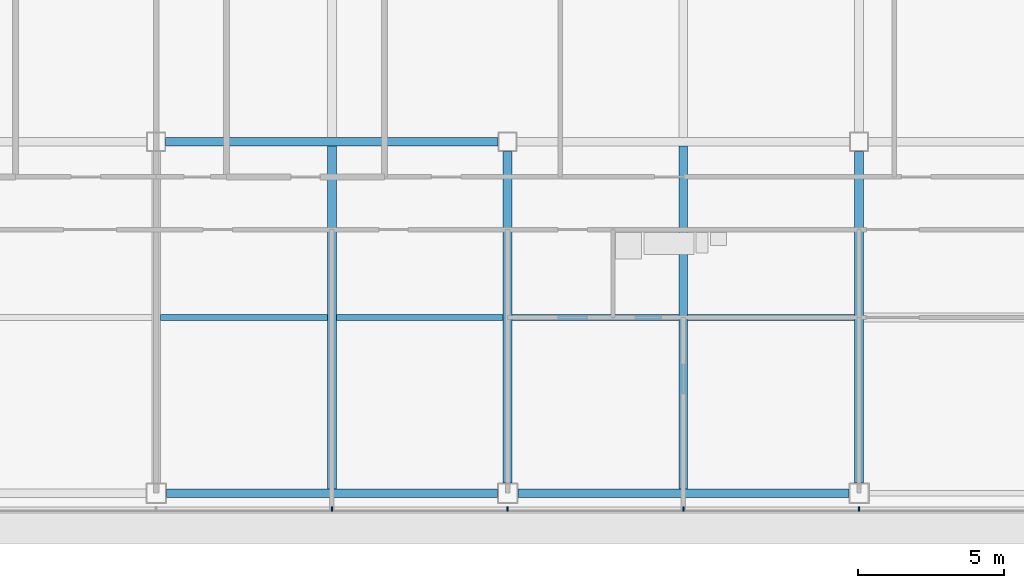
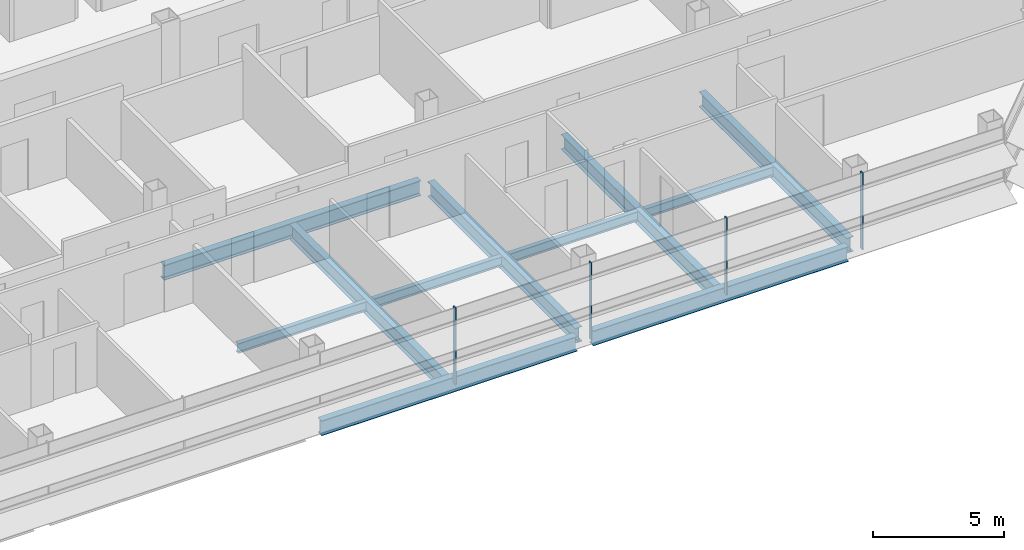
# One storey, part 8 of 26: 11 beams, 4 members, 1 element without a shape of its own.
"""IFC4 building model written with IfcOpenShell, lengths in metres."""

from ifc_helpers import new_model, si_unit, direction, frame, origin, origin_2d, place, context, subcontext, project, spatial, rectangle, i_section, extrude, material, material_profile, profile_set, type_object, element, aggregate, save


model = new_model("IFC4")

# Units and contexts
model_context = context("Model", 3, precision=1e-05, world=origin(), true_north=direction((0.0, 1.0)))
body_context = subcontext(model_context, "Body", "Model", "MODEL_VIEW")
ifc_project = project(units=[si_unit("LENGTHUNIT", "METRE"), si_unit("AREAUNIT", "SQUARE_METRE"), si_unit("VOLUMEUNIT", "CUBIC_METRE"), si_unit("PLANEANGLEUNIT", "RADIAN"), si_unit("MASSUNIT", "GRAM", prefix="KILO")], contexts=[model_context])

# Site, building, storey
site_placement = place(None, origin())
site = spatial("IfcSite", under=ifc_project, at=site_placement, CompositionType="ELEMENT")
building_placement = place(site_placement, origin())
building = spatial("IfcBuilding", under=site, at=building_placement, Name="Sorahane Residences", CompositionType="ELEMENT")
storey_placement = place(building_placement, frame((0.0, 0.0, 154.60009765625)))
storey = spatial("IfcBuildingStorey", under=building, at=storey_placement, Name="L35", CompositionType="ELEMENT", Elevation=154.60009765625)

# Curtain wall, members
ifc_material_1 = material(Name="Dark low-e glass and black anodised aluminium", Category="aluminium")
curtain_wall_type = type_object("IfcCurtainWallType", Name="Curtain wall CW-1 Typical unitised wall", PredefinedType="NOTDEFINED", material=ifc_material_1)
curtain_wall_placement = place(storey_placement, origin())
curtain_wall = element("IfcCurtainWall", 1, at=curtain_wall_placement, inside=storey, type_object=curtain_wall_type, Name="CW-1 curtain wall L35 S1", PredefinedType="NOTDEFINED")
ifc_material_2 = material(Name="Black anodised aluminium", Category="aluminium")
ifc_material_profile_1 = material_profile(ifc_material_2, rectangle(XDim=0.159912109375, YDim=0.050048828125, at=origin_2d()), Name="Curtain wall mullion CW-1 black anodised aluminium 50x160")
ifc_profile_set_1 = profile_set([ifc_material_profile_1], Name="Black anodised aluminium")
member_type = type_object("IfcMemberType", Name="Curtain wall mullion CW-1 black anodised aluminium 50x160", PredefinedType="MULLION", material=ifc_profile_set_1)
member_1_placement = place(storey_placement, frame((30.0, -0.5400390625, -0.18017578125), z_axis=(0.0, 0.0, 1.0), x_axis=(0.0, -1.0, 0.0)))
member_1 = element("IfcMember", 2, at=member_1_placement, type_object=member_type, Name="CW-1 mullion L35 S1.6", PredefinedType="MULLION", context=body_context, shape_type="SweptSolid", body=[
    extrude(rectangle(XDim=0.159912109375, YDim=0.050048828125, at=origin_2d()), origin(), (0.0, 0.0, 1.0), 3.60009765625),
])
member_2_placement = place(storey_placement, frame((36.0, -0.5400390625, -0.18017578125), z_axis=(0.0, 0.0, 1.0), x_axis=(0.0, -1.0, 0.0)))
member_2 = element("IfcMember", 3, at=member_2_placement, type_object=member_type, Name="CW-1 mullion L35 S1.7", PredefinedType="MULLION", context=body_context, shape_type="SweptSolid", body=[
    extrude(rectangle(XDim=0.159912109375, YDim=0.050048828125, at=origin_2d()), origin(), (0.0, 0.0, 1.0), 3.60009765625),
])
member_3_placement = place(storey_placement, frame((42.0, -0.5400390625, -0.18017578125), z_axis=(0.0, 0.0, 1.0), x_axis=(0.0, -1.0, 0.0)))
member_3 = element("IfcMember", 4, at=member_3_placement, type_object=member_type, Name="CW-1 mullion L35 S1.8", PredefinedType="MULLION", context=body_context, shape_type="SweptSolid", body=[
    extrude(rectangle(XDim=0.159912109375, YDim=0.050048828125, at=origin_2d()), origin(), (0.0, 0.0, 1.0), 3.60009765625),
])
member_4_placement = place(storey_placement, frame((48.0, -0.5400390625, -0.18017578125), z_axis=(0.0, 0.0, 1.0), x_axis=(0.0, -1.0, 0.0)))
member_4 = element("IfcMember", 5, at=member_4_placement, type_object=member_type, Name="CW-1 mullion L35 S1.9", PredefinedType="MULLION", context=body_context, shape_type="SweptSolid", body=[
    extrude(rectangle(XDim=0.159912109375, YDim=0.050048828125, at=origin_2d()), origin(), (0.0, 0.0, 1.0), 3.60009765625),
])
aggregate(curtain_wall, [member_1, member_2, member_3, member_4])

# Beams
ifc_material_3 = material(Name="Steel Q355B", Category="steel")
ifc_material_profile_2 = material_profile(ifc_material_3, i_section(OverallWidth=0.199951171875, OverallDepth=0.449951171875, WebThickness=0.009033203125, FlangeThickness=0.013916015625, FilletRadius=0.02001953125, at=origin_2d()), Name="HN 450x200x9x14")
ifc_profile_set_2 = profile_set([ifc_material_profile_2], Name="Steel Q355B")
beam_type_1 = type_object("IfcBeamType", Name="Steel floor beam HN 450x200x9x14 Q355B", PredefinedType="BEAM", material=ifc_profile_set_2)
for number, where, z_axis, x_axis, name in (
    (6, (24.14990234375, 6.0, -0.405029296875), (1.0, 0.0, 0.0), (0.0, 1.0, 0.0), "Beam L35 073"),
    (7, (30.14990234375, 6.0, -0.405029296875), (1.0, 0.0, 0.0), (0.0, 1.0, 0.0), "Beam L35 074"),
    (8, (36.14990234375, 6.0, -0.405029296875), (1.0, 0.0, 0.0), (0.0, 1.0, 0.0), "Beam L35 075"),
    (9, (42.14990234375, 6.0, -0.405029296875), (1.0, 0.0, 0.0), (0.0, 1.0, 0.0), "Beam L35 076"),
):
    element("IfcBeam", number, at=place(storey_placement, frame(where, z_axis=z_axis, x_axis=x_axis)), inside=storey, type_object=beam_type_1, Name=name, PredefinedType="BEAM", context=body_context, shape_type="SweptSolid", body=[
        extrude(i_section(OverallWidth=0.199951171875, OverallDepth=0.449951171875, WebThickness=0.009033203125, FlangeThickness=0.013916015625, FilletRadius=0.02001953125, at=origin_2d()), origin(), (0.0, 0.0, 1.0), 5.7001953125),
    ])
ifc_material_4 = material(Name="Steel Q355B", Category="steel")
ifc_material_profile_3 = material_profile(ifc_material_4, i_section(OverallWidth=0.300048828125, OverallDepth=0.699951171875, WebThickness=0.012939453125, FlangeThickness=0.02392578125, FilletRadius=0.028076171875, at=origin_2d()), Name="HN 700x300x13x24")
ifc_profile_set_3 = profile_set([ifc_material_profile_3], Name="Steel Q355B")
beam_type_2 = type_object("IfcBeamType", Name="Steel floor beam HN 700x300x13x24 Q355B", PredefinedType="BEAM", material=ifc_profile_set_3)
for number, where, z_axis, x_axis, name in (
    (10, (24.35009765625, 0.0, -0.530029296875), (1.0, 0.0, 0.0), (0.0, 1.0, 0.0), "Beam L35 002"),
    (11, (36.35009765625, 0.0, -0.530029296875), (1.0, 0.0, 0.0), (0.0, 1.0, 0.0), "Beam L35 003"),
):
    element("IfcBeam", number, at=place(storey_placement, frame(where, z_axis=z_axis, x_axis=x_axis)), inside=storey, type_object=beam_type_2, Name=name, PredefinedType="BEAM", context=body_context, shape_type="SweptSolid", body=[
        extrude(i_section(OverallWidth=0.300048828125, OverallDepth=0.699951171875, WebThickness=0.012939453125, FlangeThickness=0.02392578125, FilletRadius=0.028076171875, at=origin_2d()), origin(), (0.0, 0.0, 1.0), 11.2998046875),
    ])
beam_1_placement = place(storey_placement, frame((24.324951171875, 12.0, -0.530029296875), z_axis=(1.0, 0.0, 0.0), x_axis=(0.0, 1.0, 0.0)))
element("IfcBeam", 12, at=beam_1_placement, inside=storey, type_object=beam_type_2, Name="Beam L35 008", PredefinedType="BEAM", context=body_context, shape_type="SweptSolid", body=[
    extrude(i_section(OverallWidth=0.300048828125, OverallDepth=0.699951171875, WebThickness=0.012939453125, FlangeThickness=0.02392578125, FilletRadius=0.028076171875, at=origin_2d()), origin(), (0.0, 0.0, 1.0), 11.35009765625),
])
beam_2_placement = place(storey_placement, frame((30.0, 0.14990234375, -0.530029296875), z_axis=(0.0, 1.0, 0.0), x_axis=(-1.0, 0.0, 0.0)))
element("IfcBeam", 13, at=beam_2_placement, inside=storey, type_object=beam_type_2, Name="Beam L35 044", PredefinedType="BEAM", context=body_context, shape_type="SweptSolid", body=[
    extrude(i_section(OverallWidth=0.300048828125, OverallDepth=0.699951171875, WebThickness=0.012939453125, FlangeThickness=0.02392578125, FilletRadius=0.028076171875, at=origin_2d()), origin(), (0.0, 0.0, 1.0), 11.7001953125),
])
beam_3_placement = place(storey_placement, frame((36.0, 0.35009765625, -0.530029296875), z_axis=(0.0, 1.0, 0.0), x_axis=(-1.0, 0.0, 0.0)))
element("IfcBeam", 14, at=beam_3_placement, inside=storey, type_object=beam_type_2, Name="Beam L35 050", PredefinedType="BEAM", context=body_context, shape_type="SweptSolid", body=[
    extrude(i_section(OverallWidth=0.300048828125, OverallDepth=0.699951171875, WebThickness=0.012939453125, FlangeThickness=0.02392578125, FilletRadius=0.028076171875, at=origin_2d()), origin(), (0.0, 0.0, 1.0), 11.324951171875),
])
beam_4_placement = place(storey_placement, frame((42.0, 0.14990234375, -0.530029296875), z_axis=(0.0, 1.0, 0.0), x_axis=(-1.0, 0.0, 0.0)))
element("IfcBeam", 15, at=beam_4_placement, inside=storey, type_object=beam_type_2, Name="Beam L35 052", PredefinedType="BEAM", context=body_context, shape_type="SweptSolid", body=[
    extrude(i_section(OverallWidth=0.300048828125, OverallDepth=0.699951171875, WebThickness=0.012939453125, FlangeThickness=0.02392578125, FilletRadius=0.028076171875, at=origin_2d()), origin(), (0.0, 0.0, 1.0), 11.7001953125),
])
beam_5_placement = place(storey_placement, frame((48.0, 0.35009765625, -0.530029296875), z_axis=(0.0, 1.0, 0.0), x_axis=(-1.0, 0.0, 0.0)))
element("IfcBeam", 16, at=beam_5_placement, inside=storey, type_object=beam_type_2, Name="Beam L35 058", PredefinedType="BEAM", context=body_context, shape_type="SweptSolid", body=[
    extrude(i_section(OverallWidth=0.300048828125, OverallDepth=0.699951171875, WebThickness=0.012939453125, FlangeThickness=0.02392578125, FilletRadius=0.028076171875, at=origin_2d()), origin(), (0.0, 0.0, 1.0), 11.324951171875),
])

save(model, "model.ifc")
